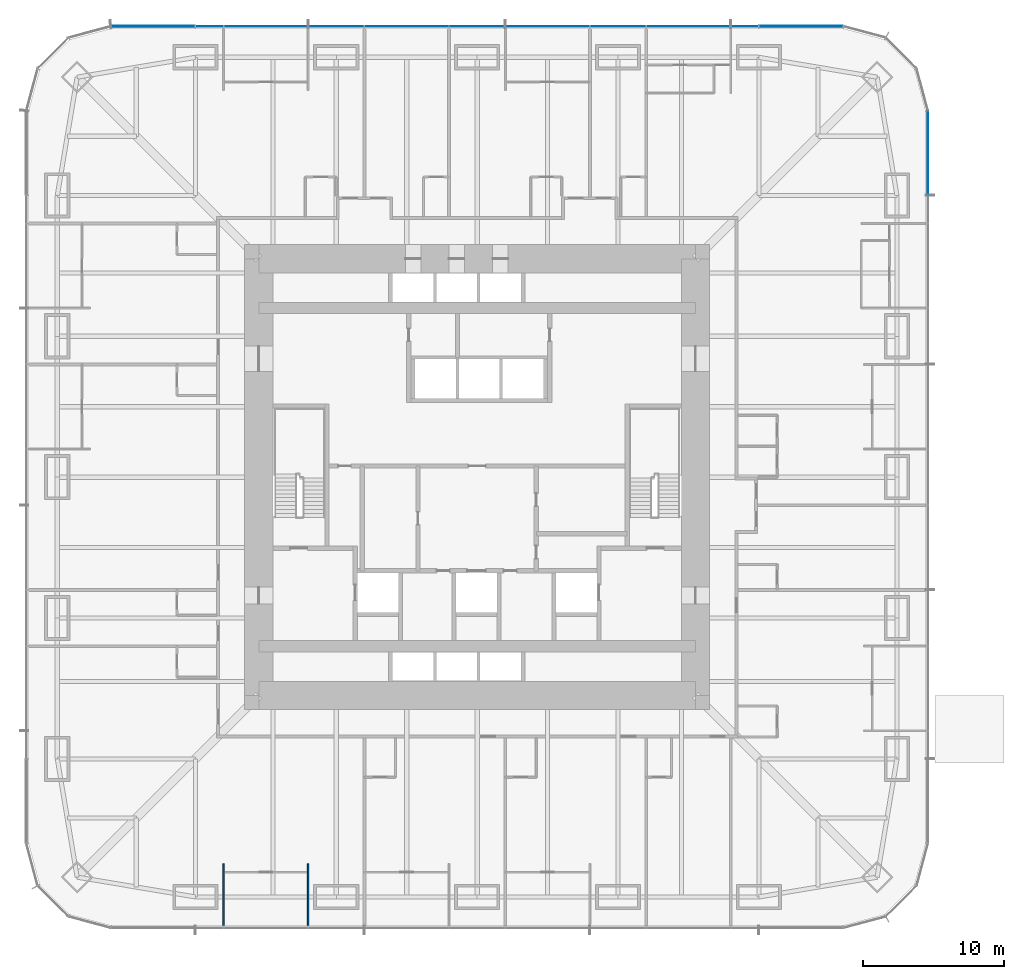
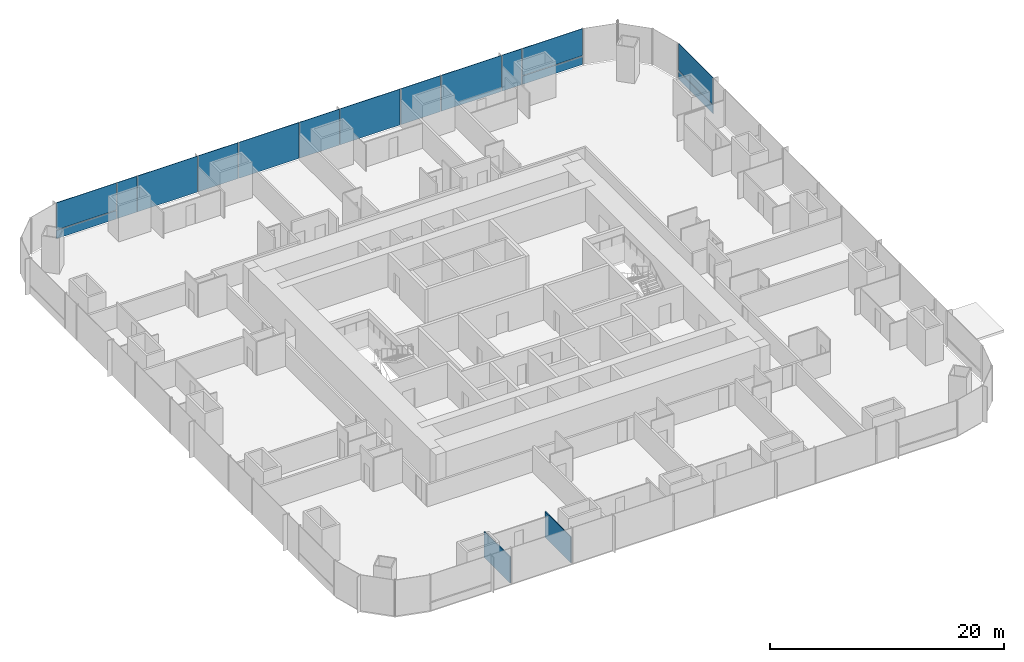
# One storey, part 14 of 20: 15 plates, 2 walls, 2 elements without a shape of their own.
"""IFC4 building model written with IfcOpenShell, lengths in metres."""

from ifc_helpers import new_model, si_unit, direction, frame, frame_2d, origin, origin_2d, place, context, subcontext, project, spatial, rectangle, extrude, material, layer, layer_set, type_object, element, aggregate, save


model = new_model("IFC4")

# Units and contexts
model_context = context("Model", 3, precision=1e-05, world=origin(), true_north=direction((0.0, 1.0)))
body_context = subcontext(model_context, "Body", "Model", "MODEL_VIEW")
ifc_project = project(units=[si_unit("LENGTHUNIT", "METRE"), si_unit("AREAUNIT", "SQUARE_METRE"), si_unit("VOLUMEUNIT", "CUBIC_METRE"), si_unit("PLANEANGLEUNIT", "RADIAN"), si_unit("MASSUNIT", "GRAM", prefix="KILO")], contexts=[model_context])

# Site, building, storey
site_placement = place(None, origin())
site = spatial("IfcSite", under=ifc_project, at=site_placement, CompositionType="ELEMENT")
building_placement = place(site_placement, origin())
building = spatial("IfcBuilding", under=site, at=building_placement, Name="Khuree Lantern Residences", CompositionType="ELEMENT")
storey_placement = place(building_placement, frame((0.0, 0.0, 24.75)))
storey = spatial("IfcBuildingStorey", under=building, at=storey_placement, Name="L05", CompositionType="ELEMENT", Elevation=24.75)

# Curtain wall, plates
ifc_material_1 = material(Name="Bronze anodised aluminium", Category="aluminium")
curtain_wall_type = type_object("IfcCurtainWallType", Name="CW-T1 TOWER FACE CURTAIN WALL", PredefinedType="USERDEFINED", material=ifc_material_1)
curtain_wall_1_placement = place(storey_placement, origin())
curtain_wall_1 = element("IfcCurtainWall", 1, at=curtain_wall_1_placement, inside=storey, type_object=curtain_wall_type, Name="L05 NORTH FACE CURTAIN WALL", ObjectType="Stick-built curtain wall", PredefinedType="USERDEFINED")
ifc_material_2 = material(Name="Bronze tinted triple glazing with a ceramic-fritted spandrel band", Category="glass")
ifc_layer_1 = layer(ifc_material_2, 0.048095703125)
ifc_layer_set_1 = layer_set([ifc_layer_1], Name="FIXED LIGHT PANEL P11")
plate_type_1 = type_object("IfcPlateType", Name="FIXED LIGHT PANEL P11", PredefinedType="CURTAIN_PANEL", material=ifc_layer_set_1)
plate_1_placement = place(storey_placement, frame((15.0, 32.0, 0.0), z_axis=(0.0, 0.0, 1.0), x_axis=(-1.0, 0.0, 0.0)))
plate_1 = element("IfcPlate", 2, at=plate_1_placement, type_object=plate_type_1, Name="L05 NORTH FACE PANEL 20.1", PredefinedType="CURTAIN_PANEL", context=body_context, shape_type="SweptSolid", body=[
    extrude(rectangle(XDim=5.93505859375, YDim=0.048095703125, at=origin_2d()), origin(), (0.0, 0.0, 1.0), 3.75),
])
plate_2_placement = place(storey_placement, frame((5.0, 32.0, 0.0), z_axis=(0.0, 0.0, 1.0), x_axis=(-1.0, 0.0, 0.0)))
plate_2 = element("IfcPlate", 3, at=plate_2_placement, type_object=plate_type_1, Name="L05 NORTH FACE PANEL 22.1", PredefinedType="CURTAIN_PANEL", context=body_context, shape_type="SweptSolid", body=[
    extrude(rectangle(XDim=5.93505859375, YDim=0.048095703125, at=origin_2d()), origin(), (0.0, 0.0, 1.0), 3.75),
])
plate_3_placement = place(storey_placement, frame((-5.0, 32.0, 0.0), z_axis=(0.0, 0.0, 1.0), x_axis=(-1.0, 0.0, 0.0)))
plate_3 = element("IfcPlate", 4, at=plate_3_placement, type_object=plate_type_1, Name="L05 NORTH FACE PANEL 24.1", PredefinedType="CURTAIN_PANEL", context=body_context, shape_type="SweptSolid", body=[
    extrude(rectangle(XDim=5.93505859375, YDim=0.048095703125, at=origin_2d()), origin(), (0.0, 0.0, 1.0), 3.75),
])
plate_4_placement = place(storey_placement, frame((-15.0, 32.0, 0.0), z_axis=(0.0, 0.0, 1.0), x_axis=(-1.0, 0.0, 0.0)))
plate_4 = element("IfcPlate", 5, at=plate_4_placement, type_object=plate_type_1, Name="L05 NORTH FACE PANEL 26.1", PredefinedType="CURTAIN_PANEL", context=body_context, shape_type="SweptSolid", body=[
    extrude(rectangle(XDim=5.93505859375, YDim=0.048095703125, at=origin_2d()), origin(), (0.0, 0.0, 1.0), 3.75),
])
ifc_material_3 = material(Name="Bronze tinted triple glazing, two aluminium-framed sashes in one frame", Category="aluminium")
ifc_layer_2 = layer(ifc_material_3, 0.048095703125)
ifc_layer_set_2 = layer_set([ifc_layer_2], Name="SASH PAIR PANEL P12")
plate_type_2 = type_object("IfcPlateType", Name="SASH PAIR PANEL P12", PredefinedType="CURTAIN_PANEL", material=ifc_layer_set_2)
plate_5_placement = place(storey_placement, frame((10.0, 32.0, 0.0), z_axis=(0.0, 0.0, 1.0), x_axis=(-1.0, 0.0, 0.0)))
plate_5 = element("IfcPlate", 6, at=plate_5_placement, type_object=plate_type_2, Name="L05 NORTH FACE PANEL 21.1", PredefinedType="CURTAIN_PANEL", context=body_context, shape_type="SweptSolid", body=[
    extrude(rectangle(XDim=3.93505859375, YDim=0.048095703125, at=origin_2d()), origin(), (0.0, 0.0, 1.0), 3.75),
])
plate_6_placement = place(storey_placement, frame((0.0, 32.0, 0.0), z_axis=(0.0, 0.0, 1.0), x_axis=(-1.0, 0.0, 0.0)))
plate_6 = element("IfcPlate", 7, at=plate_6_placement, type_object=plate_type_2, Name="L05 NORTH FACE PANEL 23.1", PredefinedType="CURTAIN_PANEL", context=body_context, shape_type="SweptSolid", body=[
    extrude(rectangle(XDim=3.93505859375, YDim=0.048095703125, at=origin_2d()), origin(), (0.0, 0.0, 1.0), 3.75),
])
plate_7_placement = place(storey_placement, frame((-10.0, 32.0, 0.0), z_axis=(0.0, 0.0, 1.0), x_axis=(-1.0, 0.0, 0.0)))
plate_7 = element("IfcPlate", 8, at=plate_7_placement, type_object=plate_type_2, Name="L05 NORTH FACE PANEL 25.1", PredefinedType="CURTAIN_PANEL", context=body_context, shape_type="SweptSolid", body=[
    extrude(rectangle(XDim=3.93505859375, YDim=0.048095703125, at=origin_2d()), origin(), (0.0, 0.0, 1.0), 3.75),
])
ifc_material_4 = material(Name="Bronze tinted triple glazing, aluminium-framed sash", Category="aluminium")
ifc_layer_3 = layer(ifc_material_4, 0.048095703125)
ifc_layer_set_3 = layer_set([ifc_layer_3], Name="SASH PANEL P3")
plate_type_3 = type_object("IfcPlateType", Name="SASH PANEL P3", PredefinedType="CURTAIN_PANEL", material=ifc_layer_set_3)
plate_8_placement = place(storey_placement, frame((19.0, 32.0, 0.0), z_axis=(0.0, 0.0, 1.0), x_axis=(-1.0, 0.0, 0.0)))
plate_8 = element("IfcPlate", 9, at=plate_8_placement, type_object=plate_type_3, Name="L05 NORTH FACE PANEL 19.1", PredefinedType="CURTAIN_PANEL", context=body_context, shape_type="SweptSolid", body=[
    extrude(rectangle(XDim=1.93505859375, YDim=0.048095703125, at=origin_2d()), origin(), (0.0, 0.0, 1.0), 3.75),
])
plate_9_placement = place(storey_placement, frame((-19.0, 32.0, 0.0), z_axis=(0.0, 0.0, 1.0), x_axis=(-1.0, 0.0, 0.0)))
plate_9 = element("IfcPlate", 10, at=plate_9_placement, type_object=plate_type_3, Name="L05 NORTH FACE PANEL 27.1", PredefinedType="CURTAIN_PANEL", context=body_context, shape_type="SweptSolid", body=[
    extrude(rectangle(XDim=1.93505859375, YDim=0.048095703125, at=origin_2d()), origin(), (0.0, 0.0, 1.0), 3.75),
])

# Curtain wall, plate
curtain_wall_2_placement = place(storey_placement, origin())
curtain_wall_2 = element("IfcCurtainWall", 11, at=curtain_wall_2_placement, inside=storey, type_object=curtain_wall_type, Name="L05 EAST FACE CURTAIN WALL", ObjectType="Stick-built curtain wall", PredefinedType="USERDEFINED")
ifc_material_5 = material(Name="Bronze anodised aluminium insulated spandrel", Category="aluminium")
ifc_layer_4 = layer(ifc_material_5, 0.06005859375)
ifc_layer_set_4 = layer_set([ifc_layer_4], Name="SPANDREL PANEL P2")
plate_type_4 = type_object("IfcPlateType", Name="SPANDREL PANEL P2", PredefinedType="CURTAIN_PANEL", material=ifc_layer_set_4)
plate_10_placement = place(storey_placement, frame((32.0, 22.997802734375, 0.0), z_axis=(0.0, 0.0, 1.0), x_axis=(0.0, 1.0, 0.0)))
plate_10 = element("IfcPlate", 12, at=plate_10_placement, type_object=plate_type_4, Name="L05 EAST FACE PANEL 14.1", PredefinedType="CURTAIN_PANEL", context=body_context, shape_type="SweptSolid", body=[
    extrude(rectangle(XDim=5.9306640625, YDim=0.06005859375, at=origin_2d()), origin(), (0.0, 0.0, 1.0), 0.867431640625),
])

# Plate
plate_11_placement = place(storey_placement, frame((22.997802734375, 32.0, 0.0), z_axis=(0.0, 0.0, 1.0), x_axis=(-1.0, 0.0, 0.0)))
plate_11 = element("IfcPlate", 13, at=plate_11_placement, type_object=plate_type_4, Name="L05 NORTH FACE PANEL 18.1", PredefinedType="CURTAIN_PANEL", context=body_context, shape_type="SweptSolid", body=[
    extrude(rectangle(XDim=5.9306640625, YDim=0.06005859375, at=origin_2d()), origin(), (0.0, 0.0, 1.0), 0.867431640625),
])

plate_12_placement = place(storey_placement, frame((-22.997802734375, 32.0, 0.0), z_axis=(0.0, 0.0, 1.0), x_axis=(-1.0, 0.0, 0.0)))
plate_12 = element("IfcPlate", 14, at=plate_12_placement, type_object=plate_type_4, Name="L05 NORTH FACE PANEL 28.1", PredefinedType="CURTAIN_PANEL", context=body_context, shape_type="SweptSolid", body=[
    extrude(rectangle(XDim=5.9306640625, YDim=0.06005859375, at=origin_2d()), origin(), (0.0, 0.0, 1.0), 0.867431640625),
])

ifc_material_6 = material(Name="Bronze tinted triple glazing", Category="glass")
ifc_layer_5 = layer(ifc_material_6, 0.048095703125)
ifc_layer_set_5 = layer_set([ifc_layer_5], Name="VISION PANEL P1")
plate_type_5 = type_object("IfcPlateType", Name="VISION PANEL P1", PredefinedType="CURTAIN_PANEL", material=ifc_layer_set_5)
plate_13_placement = place(storey_placement, frame((32.0, 22.998291015625, 0.9326171875), z_axis=(0.0, 0.0, 1.0), x_axis=(0.0, 1.0, 0.0)))
plate_13 = element("IfcPlate", 15, at=plate_13_placement, type_object=plate_type_5, Name="L05 EAST FACE PANEL 14.2", PredefinedType="CURTAIN_PANEL", context=body_context, shape_type="SweptSolid", body=[
    extrude(rectangle(XDim=5.931640625, YDim=0.048095703125, at=origin_2d()), origin(), (0.0, 0.0, 1.0), 2.8173828125),
])

aggregate(curtain_wall_2, [plate_10, plate_13])

plate_14_placement = place(storey_placement, frame((22.998291015625, 32.0, 0.9326171875), z_axis=(0.0, 0.0, 1.0), x_axis=(-1.0, 0.0, 0.0)))
plate_14 = element("IfcPlate", 16, at=plate_14_placement, type_object=plate_type_5, Name="L05 NORTH FACE PANEL 18.2", PredefinedType="CURTAIN_PANEL", context=body_context, shape_type="SweptSolid", body=[
    extrude(rectangle(XDim=5.931640625, YDim=0.048095703125, at=origin_2d()), origin(), (0.0, 0.0, 1.0), 2.8173828125),
])

plate_15_placement = place(storey_placement, frame((-22.998291015625, 32.0, 0.9326171875), z_axis=(0.0, 0.0, 1.0), x_axis=(-1.0, 0.0, 0.0)))
plate_15 = element("IfcPlate", 17, at=plate_15_placement, type_object=plate_type_5, Name="L05 NORTH FACE PANEL 28.2", PredefinedType="CURTAIN_PANEL", context=body_context, shape_type="SweptSolid", body=[
    extrude(rectangle(XDim=5.931640625, YDim=0.048095703125, at=origin_2d()), origin(), (0.0, 0.0, 1.0), 2.8173828125),
])

aggregate(curtain_wall_1, [plate_11, plate_14, plate_8, plate_1, plate_5, plate_2, plate_6, plate_3, plate_7, plate_4, plate_9, plate_12, plate_15])

# Walls
ifc_material_7 = material(Name="Gypsum board on steel studs", Category="steel")
ifc_layer_6 = layer(ifc_material_7, 0.10009765625)
ifc_layer_set_6 = layer_set([ifc_layer_6], Name="PARTITION PT100")
wall_type = type_object("IfcWallType", Name="PARTITION PT100", PredefinedType="PARTITIONING", material=ifc_layer_set_6)
for number, where, z_axis, x_axis, name in (
    (18, (-18.0, -27.449951171875, 0.0), (0.0, 0.0, 1.0), (0.0, -1.0, 0.0), "L05 PARTITION 10"),
    (19, (-12.0, -27.449951171875, 0.0), (0.0, 0.0, 1.0), (0.0, -1.0, 0.0), "L05 PARTITION 10"),
):
    element("IfcWall", number, at=place(storey_placement, frame(where, z_axis=z_axis, x_axis=x_axis)), inside=storey, type_object=wall_type, Name=name, PredefinedType="PARTITIONING", context=body_context, shape_type="SweptSolid", body=[
        extrude(rectangle(XDim=4.400146484375, YDim=0.10009765625, at=frame_2d((2.2001953125, 0.0))), origin(), (0.0, 0.0, 1.0), 2.7099609375),
    ])

save(model, "model.ifc")
